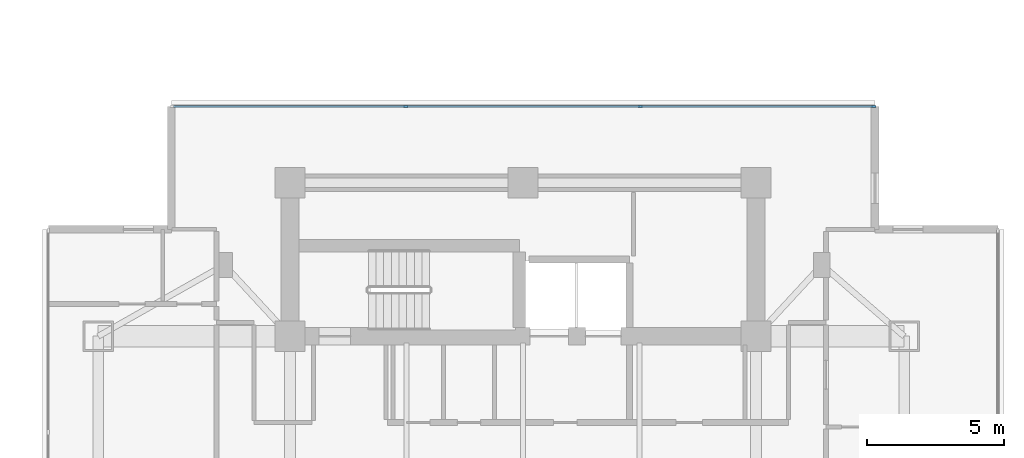
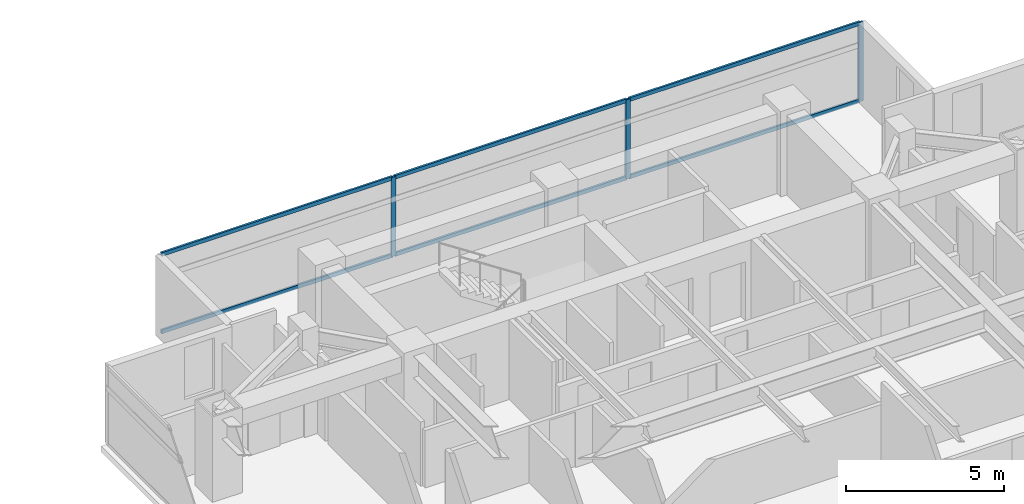
# One storey, part 12 of 27: 9 members, 1 element without a shape of its own.
"""IFC4 building model written with IfcOpenShell, lengths in metres."""

import ifcopenshell
import ifcopenshell.guid

model = None  # the IFC model being written
_history = None  # IfcOwnerHistory: only IFC2X3 demands one
_inside = {}  # id of a spatial element -> (the spatial element, [elements in it])
_under = {}  # id of a project, library or spatial element -> (it, [spatial elements below it])
_declared = {}  # id of a project -> (the project, [libraries it declares])
_typed = {}  # id of a type object -> (the type object, [elements of that type])
_made_of = {}  # id of a material, layer set ... -> (it, [elements and type objects made of it])


def new_model(schema):
    """Start an empty IFC model of exactly this schema.

    Asked for "IFC4X3", IfcOpenShell would pick the latest addendum, in which some entities
    have other attributes; the version numbers below select the first issue.
    IFC2X3 requires an IfcOwnerHistory on every rooted entity: one is made here for all.
    """
    global model, _history
    if schema == "IFC4X3":
        model = ifcopenshell.file(schema_version=(4, 3, 0, 0))
    else:
        model = ifcopenshell.file(schema=schema)
    _inside.clear()
    _under.clear()
    _declared.clear()
    _typed.clear()
    _made_of.clear()
    _history = None
    if model.schema == "IFC2X3":
        org = make("IfcOrganization", Name="unknown")
        user = make(
            "IfcPersonAndOrganization",
            ThePerson=make("IfcPerson", FamilyName="unknown"),
            TheOrganization=org,
        )
        app = make(
            "IfcApplication",
            ApplicationDeveloper=org,
            Version="unknown",
            ApplicationFullName="unknown",
            ApplicationIdentifier="unknown",
        )
        _history = make(
            "IfcOwnerHistory",
            OwningUser=user,
            OwningApplication=app,
            ChangeAction="ADDED",
            CreationDate=0,
        )
    return model


def make(cls, **values):
    """One entity of the class cls with the attributes given. An attribute that is None is left unset."""
    return model.create_entity(
        cls, **{name: value for name, value in values.items() if value is not None}
    )


def rooted(cls, **values):
    """An entity with a GlobalId (a new one), such as an element, a storey or a relation."""
    return make(cls, GlobalId=ifcopenshell.guid.new(), OwnerHistory=_history, **values)


def si_unit(unit_type, name, prefix=None):
    """IfcSIUnit, for example si_unit("LENGTHUNIT", "METRE", prefix="MILLI")."""
    return make("IfcSIUnit", UnitType=unit_type, Prefix=prefix, Name=name)


def assignment(units):
    """IfcUnitAssignment: the units of a project."""
    return None if units is None else make("IfcUnitAssignment", Units=units)


def point(xyz):
    """IfcCartesianPoint."""
    return None if xyz is None else make("IfcCartesianPoint", Coordinates=xyz)


def direction(xyz):
    """IfcDirection."""
    return None if xyz is None else make("IfcDirection", DirectionRatios=xyz)


def frame(location, z_axis=None, x_axis=None):
    """IfcAxis2Placement3D, a coordinate frame: its origin and axes. An axis left out is left unset."""
    return make(
        "IfcAxis2Placement3D",
        Location=point(location),
        Axis=direction(z_axis),
        RefDirection=direction(x_axis),
    )


def frame_2d(location, x_axis=None):
    """IfcAxis2Placement2D, a coordinate frame in the plane: its origin and x axis."""
    return make(
        "IfcAxis2Placement2D", Location=point(location), RefDirection=direction(x_axis)
    )


def origin():
    """The frame at (0, 0, 0) with its axes left unset."""
    return frame((0.0, 0.0, 0.0))


def origin_2d():
    """The frame at (0, 0) in the plane with its x axis left unset."""
    return frame_2d((0.0, 0.0))


def place(relative_to, where):
    """IfcLocalPlacement: puts the frame where relative to a parent placement (None: the world)."""
    return make(
        "IfcLocalPlacement", PlacementRelTo=relative_to, RelativePlacement=where
    )


def context(
    kind, dimensions, precision=None, world=None, true_north=None, identifier=None
):
    """IfcGeometricRepresentationContext, for example the 3D "Model" context."""
    return make(
        "IfcGeometricRepresentationContext",
        ContextIdentifier=identifier,
        ContextType=kind,
        CoordinateSpaceDimension=dimensions,
        Precision=precision,
        WorldCoordinateSystem=world,
        TrueNorth=true_north,
    )


def subcontext(parent, identifier, kind, view, scale=None):
    """IfcGeometricRepresentationSubContext, for example "Body" below "Model"."""
    return make(
        "IfcGeometricRepresentationSubContext",
        ContextIdentifier=identifier,
        ContextType=kind,
        ParentContext=parent,
        TargetScale=scale,
        TargetView=view,
    )


def project(units=None, contexts=None):
    """IfcProject with its units and contexts."""
    return rooted(
        "IfcProject",
        Name="project",
        RepresentationContexts=contexts,
        UnitsInContext=assignment(units),
    )


def spatial(cls, under=None, at=None, **own):
    """A site, building, storey or space (cls), placed at a placement, below another one or the project."""
    s = rooted(cls, ObjectPlacement=at, **own)
    if under is not None:
        _under.setdefault(under.id(), (under, []))[1].append(s)
    return s


def profile(cls, at=None, kind="AREA", **sizes):
    """A parametric profile (cls). Its sizes go by their IFC names, for example OverallWidth=200.0."""
    return make(cls, ProfileType=kind, Position=at, **sizes)


def rectangle(**sizes):
    """IfcRectangleProfileDef."""
    return profile("IfcRectangleProfileDef", **sizes)


def extrude(swept, where, along, depth):
    """IfcExtrudedAreaSolid: the profile swept, set in the frame where, extruded along a direction by depth."""
    return make(
        "IfcExtrudedAreaSolid",
        SweptArea=swept,
        Position=where,
        ExtrudedDirection=direction(along),
        Depth=depth,
    )


def shape(context_of_items, identifier, shape_type, items):
    """IfcShapeRepresentation: the items that make up one representation, for example the "Body"."""
    return make(
        "IfcShapeRepresentation",
        ContextOfItems=context_of_items,
        RepresentationIdentifier=identifier,
        RepresentationType=shape_type,
        Items=items,
    )


def material(Name=None, Category=None):
    """IfcMaterial."""
    return make("IfcMaterial", Name=Name, Category=Category)


def material_profile(
    of_material, cross_section, Name=None, Category=None, Priority=None
):
    """IfcMaterialProfile: a cross section and its material."""
    return make(
        "IfcMaterialProfile",
        Name=Name,
        Material=of_material,
        Profile=cross_section,
        Priority=Priority,
        Category=Category,
    )


def profile_set(profiles, Name=None, composite=None):
    """IfcMaterialProfileSet."""
    return make(
        "IfcMaterialProfileSet",
        Name=Name,
        MaterialProfiles=profiles,
        CompositeProfile=composite,
    )


def made_of(thing, what):
    """Note that an element or type object is made of a material, layer set ...; save() writes the relation."""
    if what is not None:
        _made_of.setdefault(what.id(), (what, []))[1].append(thing)
    return thing


def type_object(cls, material=None, **own):
    """A type object (cls), such as IfcWallType, which elements share."""
    return made_of(rooted(cls, **own), material)


def element(
    cls,
    number,
    at=None,
    inside=None,
    cuts=None,
    type_object=None,
    material=None,
    context=None,
    identifier="Body",
    shape_type=None,
    held_by="IfcProductDefinitionShape",
    body=None,
    shapes=None,
    **own,
):
    """One element of the class cls, such as IfcWall. Its Tag is "e" and its number.

    at: its placement. inside: the storey or other place that contains it. cuts: it is an
    opening in that element (IfcRelVoidsElement). A single representation is given by context,
    identifier, shape_type and body (its items); several are given by shapes. held_by: the class
    of the entity that holds the representations. save() writes the other relations.
    """
    e = rooted(cls, Tag="e%d" % number, ObjectPlacement=at, **own)
    if body is not None:
        shapes = [shape(context, identifier, shape_type, body)]
    if shapes is not None:
        e.Representation = make(held_by, Representations=shapes)
    if inside is not None:
        _inside.setdefault(inside.id(), (inside, []))[1].append(e)
    if cuts is not None:
        rooted(
            "IfcRelVoidsElement", RelatingBuildingElement=cuts, RelatedOpeningElement=e
        )
    if type_object is not None:
        _typed.setdefault(type_object.id(), (type_object, []))[1].append(e)
    return made_of(e, material)


def aggregate(whole, parts):
    """IfcRelAggregates: a whole, such as a stair, and the parts it consists of."""
    return rooted("IfcRelAggregates", RelatingObject=whole, RelatedObjects=parts)


def save(model, path):
    """Write the relations noted so far, then the file.

    IfcRelAggregates (storeys below a building ...), IfcRelContainedInSpatialStructure (elements
    in a storey), IfcRelDefinesByType, IfcRelAssociatesMaterial and IfcRelDeclares: one each for
    every whole, place, type object, material and project.
    """
    for whole, parts in _under.values():
        aggregate(whole, parts)
    for where, things in _inside.values():
        rooted(
            "IfcRelContainedInSpatialStructure",
            RelatedElements=things,
            RelatingStructure=where,
        )
    for kind, things in _typed.values():
        rooted("IfcRelDefinesByType", RelatedObjects=things, RelatingType=kind)
    for what, things in _made_of.values():
        rooted("IfcRelAssociatesMaterial", RelatedObjects=things, RelatingMaterial=what)
    for by, libraries in _declared.values():
        rooted("IfcRelDeclares", RelatingContext=by, RelatedDefinitions=libraries)
    model.write(path)


model = new_model("IFC4")

# Units and contexts
model_context = context("Model", 3, precision=1e-05, world=origin(), true_north=direction((0.0, 1.0)))
body_context = subcontext(model_context, "Body", "Model", "MODEL_VIEW")
ifc_project = project(units=[si_unit("LENGTHUNIT", "METRE"), si_unit("AREAUNIT", "SQUARE_METRE"), si_unit("VOLUMEUNIT", "CUBIC_METRE"), si_unit("PLANEANGLEUNIT", "RADIAN"), si_unit("MASSUNIT", "GRAM", prefix="KILO")], contexts=[model_context])

# Site, building, storey
site_placement = place(None, origin())
site = spatial("IfcSite", under=ifc_project, at=site_placement, CompositionType="ELEMENT")
building_placement = place(site_placement, origin())
building = spatial("IfcBuilding", under=site, at=building_placement, Name="Mirazonda Arch Towers", CompositionType="ELEMENT")
storey_placement = place(building_placement, frame((0.0, 0.0, 124.699951171875)))
storey = spatial("IfcBuildingStorey", under=building, at=storey_placement, Name="L35", CompositionType="ELEMENT", Elevation=124.699951171875)

# Curtain wall, members
ifc_material_1 = material(Name="Anodised Aluminium and Low-E Glass", Category="aluminium")
curtain_wall_type = type_object("IfcCurtainWallType", Name="CW-HTL-UNIT", PredefinedType="NOTDEFINED", material=ifc_material_1)
curtain_wall_placement = place(storey_placement, origin())
curtain_wall = element("IfcCurtainWall", 1, at=curtain_wall_placement, inside=storey, type_object=curtain_wall_type, Name="L35 T2 N Facade CW-L35-T2-N", PredefinedType="NOTDEFINED")
ifc_material_2 = material(Name="Anodised Aluminium Alloy", Category="aluminium")
ifc_material_profile_1 = material_profile(ifc_material_2, rectangle(XDim=0.074951171875, YDim=0.1650390625, at=origin_2d()), Name="ALU-MULL-75x165")
ifc_profile_set_1 = profile_set([ifc_material_profile_1], Name="Anodised Aluminium Alloy")
member_type_1 = type_object("IfcMemberType", Name="MULL-CW-HTL-UNIT", PredefinedType="MULLION", material=ifc_profile_set_1)
member_1_placement = place(storey_placement, frame((72.221923828125, 43.585693359375, 0.0), z_axis=(0.0, 0.0, 1.0), x_axis=(0.0, 1.0, 0.0)))
member_1 = element("IfcMember", 2, at=member_1_placement, type_object=member_type_1, Name="CW-112 mullion 2", PredefinedType="MULLION", context=body_context, shape_type="SweptSolid", body=[
    extrude(rectangle(XDim=0.074951171875, YDim=0.1650390625, at=origin_2d()), origin(), (0.0, 0.0, 1.0), 3.06005859375),
])
member_2_placement = place(storey_placement, frame((80.778076171875, 43.585693359375, 0.0), z_axis=(0.0, 0.0, 1.0), x_axis=(0.0, 1.0, 0.0)))
member_2 = element("IfcMember", 3, at=member_2_placement, type_object=member_type_1, Name="CW-112 mullion 3", PredefinedType="MULLION", context=body_context, shape_type="SweptSolid", body=[
    extrude(rectangle(XDim=0.074951171875, YDim=0.1650390625, at=origin_2d()), origin(), (0.0, 0.0, 1.0), 3.06005859375),
])
member_3_placement = place(storey_placement, frame((89.297119140625, 43.585693359375, 0.0), z_axis=(0.0, 0.0, 1.0), x_axis=(0.0, 1.0, 0.0)))
member_3 = element("IfcMember", 4, at=member_3_placement, type_object=member_type_1, Name="CW-112 mullion 4", PredefinedType="MULLION", context=body_context, shape_type="SweptSolid", body=[
    extrude(rectangle(XDim=0.074951171875, YDim=0.1650390625, at=origin_2d()), origin(), (0.0, 0.0, 1.0), 3.06005859375),
])
ifc_material_profile_2 = material_profile(ifc_material_2, rectangle(XDim=0.074951171875, YDim=0.14501953125, at=origin_2d()), Name="ALU-TRAN-75x145")
ifc_profile_set_2 = profile_set([ifc_material_profile_2], Name="Anodised Aluminium Alloy")
member_type_2 = type_object("IfcMemberType", Name="TRAN-CW-HTL-UNIT", PredefinedType="USERDEFINED", material=ifc_profile_set_2)
member_4_placement = place(storey_placement, frame((63.740478515625, 43.585693359375, 0.03759765625), z_axis=(1.0, 0.0, 0.0), x_axis=(0.0, 1.0, 0.0)))
member_4 = element("IfcMember", 5, at=member_4_placement, type_object=member_type_2, Name="CW-112 transom 1.1", ObjectType="TRANSOM", PredefinedType="USERDEFINED", context=body_context, shape_type="SweptSolid", body=[
    extrude(rectangle(XDim=0.074951171875, YDim=0.14501953125, at=origin_2d()), origin(), (0.0, 0.0, 1.0), 8.44384765625),
])
member_5_placement = place(storey_placement, frame((63.740478515625, 43.585693359375, 3.0224609375), z_axis=(1.0, 0.0, 0.0), x_axis=(0.0, 1.0, 0.0)))
member_5 = element("IfcMember", 6, at=member_5_placement, type_object=member_type_2, Name="CW-112 transom 1.2", ObjectType="TRANSOM", PredefinedType="USERDEFINED", context=body_context, shape_type="SweptSolid", body=[
    extrude(rectangle(XDim=0.074951171875, YDim=0.14501953125, at=origin_2d()), origin(), (0.0, 0.0, 1.0), 8.44384765625),
])
member_6_placement = place(storey_placement, frame((72.25927734375, 43.585693359375, 0.03759765625), z_axis=(1.0, 0.0, 0.0), x_axis=(0.0, 1.0, 0.0)))
member_6 = element("IfcMember", 7, at=member_6_placement, type_object=member_type_2, Name="CW-112 transom 2.1", ObjectType="TRANSOM", PredefinedType="USERDEFINED", context=body_context, shape_type="SweptSolid", body=[
    extrude(rectangle(XDim=0.074951171875, YDim=0.14501953125, at=origin_2d()), origin(), (0.0, 0.0, 1.0), 8.4814453125),
])
member_7_placement = place(storey_placement, frame((72.25927734375, 43.585693359375, 3.0224609375), z_axis=(1.0, 0.0, 0.0), x_axis=(0.0, 1.0, 0.0)))
member_7 = element("IfcMember", 8, at=member_7_placement, type_object=member_type_2, Name="CW-112 transom 2.2", ObjectType="TRANSOM", PredefinedType="USERDEFINED", context=body_context, shape_type="SweptSolid", body=[
    extrude(rectangle(XDim=0.074951171875, YDim=0.14501953125, at=origin_2d()), origin(), (0.0, 0.0, 1.0), 8.4814453125),
])
member_8_placement = place(storey_placement, frame((80.815673828125, 43.585693359375, 0.03759765625), z_axis=(1.0, 0.0, 0.0), x_axis=(0.0, 1.0, 0.0)))
member_8 = element("IfcMember", 9, at=member_8_placement, type_object=member_type_2, Name="CW-112 transom 3.1", ObjectType="TRANSOM", PredefinedType="USERDEFINED", context=body_context, shape_type="SweptSolid", body=[
    extrude(rectangle(XDim=0.074951171875, YDim=0.14501953125, at=origin_2d()), origin(), (0.0, 0.0, 1.0), 8.44384765625),
])
member_9_placement = place(storey_placement, frame((80.815673828125, 43.585693359375, 3.0224609375), z_axis=(1.0, 0.0, 0.0), x_axis=(0.0, 1.0, 0.0)))
member_9 = element("IfcMember", 10, at=member_9_placement, type_object=member_type_2, Name="CW-112 transom 3.2", ObjectType="TRANSOM", PredefinedType="USERDEFINED", context=body_context, shape_type="SweptSolid", body=[
    extrude(rectangle(XDim=0.074951171875, YDim=0.14501953125, at=origin_2d()), origin(), (0.0, 0.0, 1.0), 8.44384765625),
])
aggregate(curtain_wall, [member_1, member_2, member_3, member_4, member_5, member_6, member_7, member_8, member_9])

save(model, "model.ifc")
